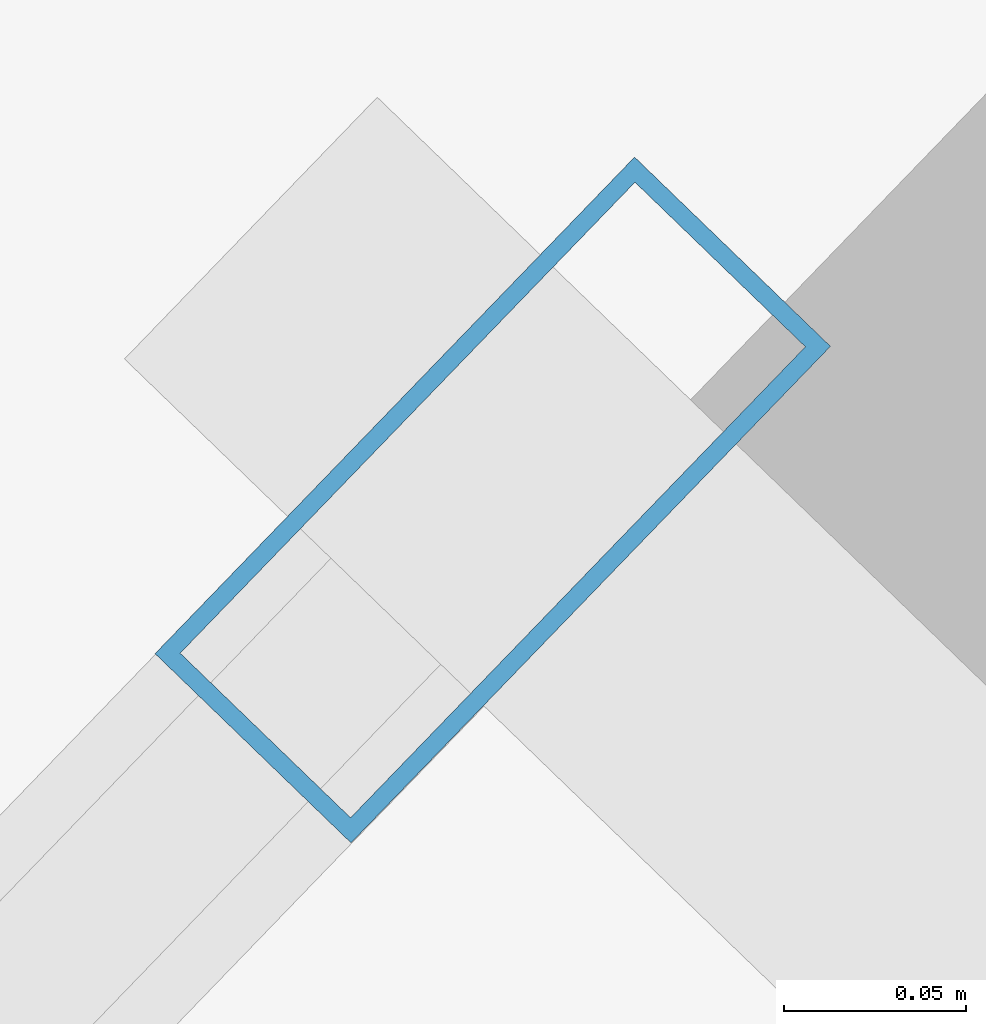
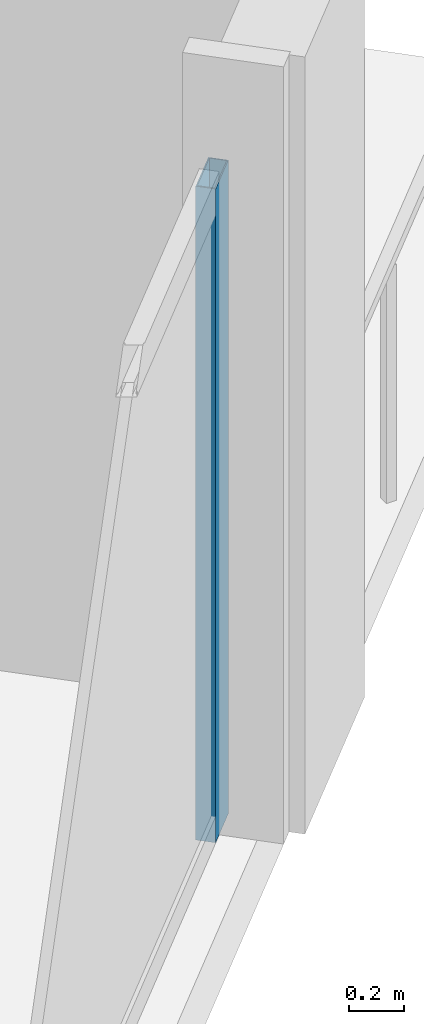
# One storey, part 13 of 33: 1 member, 1 element without a shape of its own.
"""IFC4 building model written with IfcOpenShell, lengths in metres."""

from ifc_helpers import new_model, si_unit, direction, frame, origin, origin_2d, place, context, subcontext, project, spatial, hollow_rectangle, extrude, material, material_profile, profile_set, type_object, element, aggregate, save


model = new_model("IFC4")

# Units and contexts
model_context = context("Model", 3, precision=1e-05, world=origin(), true_north=direction((0.0, 1.0)))
body_context = subcontext(model_context, "Body", "Model", "MODEL_VIEW")
ifc_project = project(units=[si_unit("LENGTHUNIT", "METRE"), si_unit("AREAUNIT", "SQUARE_METRE"), si_unit("VOLUMEUNIT", "CUBIC_METRE"), si_unit("PLANEANGLEUNIT", "RADIAN"), si_unit("MASSUNIT", "GRAM", prefix="KILO")], contexts=[model_context])

# Site, building, storey
site_placement = place(None, origin())
site = spatial("IfcSite", under=ifc_project, at=site_placement, CompositionType="ELEMENT")
building_placement = place(site_placement, origin())
building = spatial("IfcBuilding", under=site, at=building_placement, Name="Haldenkirk Collegiate Tower", CompositionType="ELEMENT")
storey_placement = place(building_placement, frame((0.0, 0.0, 181.949951171875)))
storey = spatial("IfcBuildingStorey", under=building, at=storey_placement, Name="L45", CompositionType="ELEMENT", Elevation=181.949951171875)

# Curtain wall, member
ifc_material = material(Name="Anodised architectural bronze aluminium", Category="aluminium")
curtain_wall_type = type_object("IfcCurtainWallType", Name="CW-SYS2-CONCAVE", PredefinedType="USERDEFINED", material=ifc_material)
curtain_wall_placement = place(storey_placement, origin())
curtain_wall = element("IfcCurtainWall", 1, at=curtain_wall_placement, inside=storey, type_object=curtain_wall_type, Name="L45 South concave recessed bronze-anodised curtain wall", ObjectType="UNITISED CURTAIN WALL", PredefinedType="USERDEFINED")
ifc_material_profile = material_profile(ifc_material, hollow_rectangle(XDim=0.074951171875, YDim=0.18994140625, WallThickness=0.0048828125, at=origin_2d()), Name="CW-MUL-02")
ifc_profile_set = profile_set([ifc_material_profile], Name="Anodised architectural bronze aluminium")
member_type = type_object("IfcMemberType", Name="CW-MUL-02", PredefinedType="MULLION", material=ifc_profile_set)
member_placement = place(storey_placement, frame((66.841064453125, 23.898681640625, 0.0), z_axis=(0.0, 0.0, 1.0), x_axis=(0.719339919409, -0.694658247158, 0.0)))
member = element("IfcMember", 2, at=member_placement, type_object=member_type, Name="CW-02 mullion 1", PredefinedType="MULLION", context=body_context, shape_type="SweptSolid", body=[
    extrude(hollow_rectangle(XDim=0.074951171875, YDim=0.18994140625, WallThickness=0.0048828125, at=origin_2d()), origin(), (0.0, 0.0, 1.0), 2.9111328125),
])
aggregate(curtain_wall, [member])

save(model, "model.ifc")
